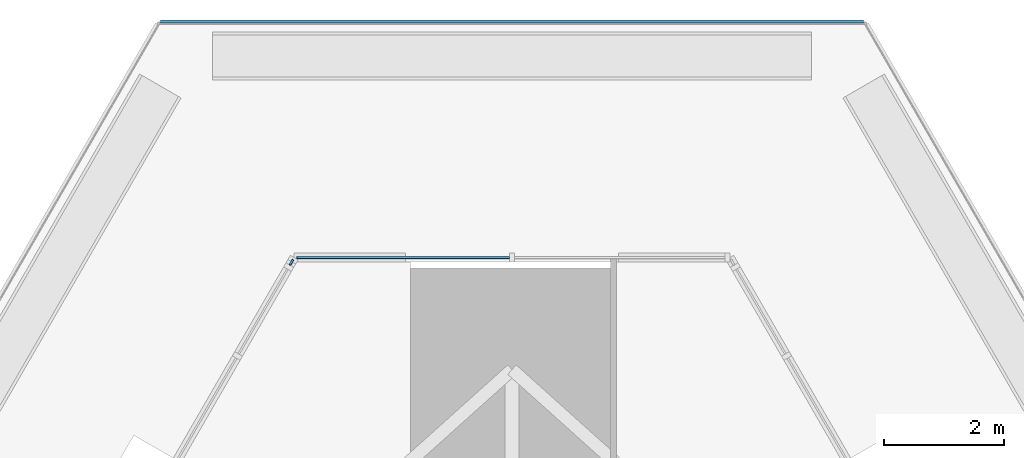
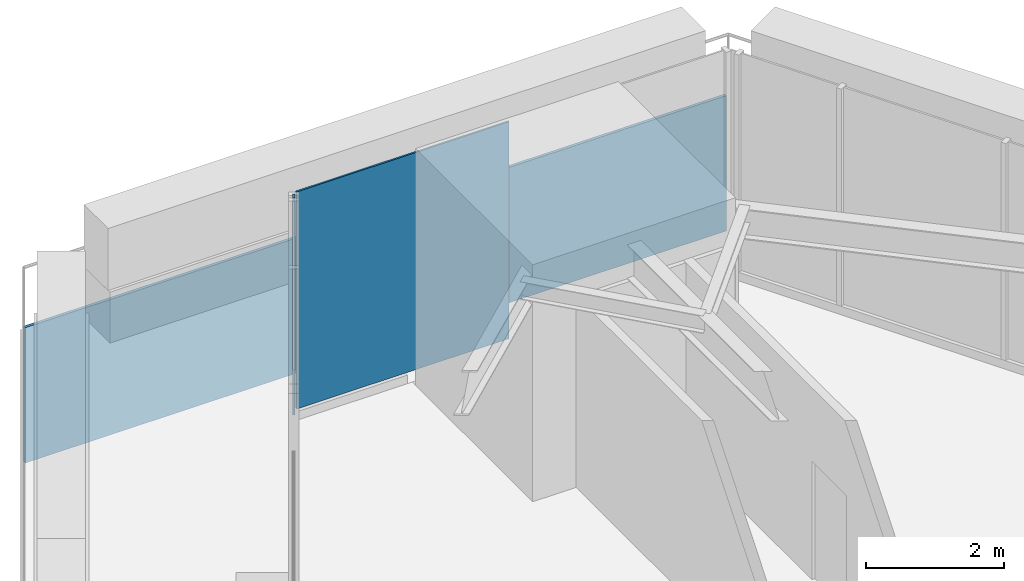
# One storey, part 15 of 26: 3 plates, 2 elements without a shape of their own.
"""IFC4 building model written with IfcOpenShell, lengths in metres."""

from ifc_helpers import new_model, si_unit, direction, frame, origin, place, context, subcontext, project, spatial, polyline, outline, extrude, material, layer, layer_set, type_object, element, aggregate, save


model = new_model("IFC4")

# Units and contexts
model_context = context("Model", 3, precision=1e-05, world=origin(), true_north=direction((0.0, 1.0)))
body_context = subcontext(model_context, "Body", "Model", "MODEL_VIEW")
ifc_project = project(units=[si_unit("LENGTHUNIT", "METRE"), si_unit("AREAUNIT", "SQUARE_METRE"), si_unit("VOLUMEUNIT", "CUBIC_METRE"), si_unit("PLANEANGLEUNIT", "RADIAN"), si_unit("MASSUNIT", "GRAM", prefix="KILO")], contexts=[model_context])

# Site, building, storey
site_placement = place(None, origin())
site = spatial("IfcSite", under=ifc_project, at=site_placement, CompositionType="ELEMENT")
building_placement = place(site_placement, origin())
building = spatial("IfcBuilding", under=site, at=building_placement, Name="Firuza Gate Tower and Library", CompositionType="ELEMENT")
storey_placement = place(building_placement, frame((0.0, 0.0, 115.60009765625)))
storey = spatial("IfcBuildingStorey", under=building, at=storey_placement, Name="L26", CompositionType="ELEMENT", Elevation=115.60009765625)

# Curtain wall, plate
ifc_material_1 = material(Name="Aluminium 6063-T6", Category="aluminium")
ifc_layer_1 = layer(ifc_material_1, 0.14990234375)
ifc_layer_set_1 = layer_set([ifc_layer_1], Name="Corner curtain wall, chamfers")
curtain_wall_type_1 = type_object("IfcCurtainWallType", Name="Corner curtain wall, chamfers", PredefinedType="NOTDEFINED", material=ifc_layer_set_1)
placement = place(storey_placement, origin())
curtain_wall_1 = element("IfcCurtainWall", 1, at=placement, inside=storey, type_object=curtain_wall_type_1, Name="CW4 L26 N corner", PredefinedType="NOTDEFINED")
ifc_material_2 = material(Name="Fritted glass", Category="glass")
ifc_layer_2 = layer(ifc_material_2, 0.030029296875)
ifc_layer_set_2 = layer_set([ifc_layer_2], Name="Fritted glass unit, corners")
plate_type_1 = type_object("IfcPlateType", Name="Fritted glass unit, corners", PredefinedType="CURTAIN_PANEL", material=ifc_layer_set_2)
plate_1_placement = place(storey_placement, frame((74.9599609375, 109.402099609375, 0.14990234375), z_axis=(0.0, 1.0, 0.0), x_axis=(-1.0, 0.0, 0.0)))
plate_1 = element("IfcPlate", 2, at=plate_1_placement, type_object=plate_type_1, Name="Glass unit", PredefinedType="CURTAIN_PANEL", context=body_context, shape_type="SweptSolid", body=[
    extrude(outline(polyline([(0.0, 0.0), (3.563232421875, 0.0), (3.563232421875, 3.85009765625), (0.0, 3.85009765625), (0.0, 0.0)])), origin(), (0.0, 0.0, -1.0), 0.030029296875),
])
aggregate(curtain_wall_1, [plate_1])

ifc_material_3 = material(Name="Aluminium 6063-T6", Category="aluminium")
ifc_layer_3 = layer(ifc_material_3, 0.14990234375)
ifc_layer_set_3 = layer_set([ifc_layer_3], Name="Unitised curtain wall, offices")
curtain_wall_type_2 = type_object("IfcCurtainWallType", Name="Unitised curtain wall, offices", PredefinedType="NOTDEFINED", material=ifc_layer_set_3)
curtain_wall_2 = element("IfcCurtainWall", 3, at=placement, inside=storey, type_object=curtain_wall_type_2, Name="CW1 L26 W face", PredefinedType="NOTDEFINED")
ifc_material_4 = material(Name="Glazed ceramic tile")
ifc_layer_4 = layer(ifc_material_4, 0.030029296875)
ifc_layer_set_4 = layer_set([ifc_layer_4], Name="Opaque ceramic panel, offices")
plate_type_2 = type_object("IfcPlateType", Name="Opaque ceramic panel, offices", PredefinedType="CURTAIN_PANEL", material=ifc_layer_set_4)
plate_2_placement = place(storey_placement, frame((71.32373046875, 109.35986328125, 0.14990234375), z_axis=(-0.865910493709, 0.500198977292, 0.0), x_axis=(-0.500198977292, -0.865910493709, 0.0)))
plate_2 = element("IfcPlate", 4, at=plate_2_placement, type_object=plate_type_2, Name="Opaque ceramic panel", PredefinedType="CURTAIN_PANEL", context=body_context, shape_type="SweptSolid", body=[
    extrude(outline(polyline([(0.0, 0.0), (0.10347444686944572, 0.0), (0.10347444686944572, 3.850097656250001), (0.0, 3.850097656250001), (0.0, 0.0)])), origin(), (0.0, 0.0, -1.0), 0.030029296875),
])
aggregate(curtain_wall_2, [plate_2])

# Plate
ifc_material_5 = material(Name="Aluminium 6063-T6", Category="aluminium")
ifc_layer_5 = layer(ifc_material_5, 0.050048828125)
ifc_layer_set_5 = layer_set([ifc_layer_5], Name="Tray fascia panel 50")
plate_type_3 = type_object("IfcPlateType", Name="Tray fascia panel 50", PredefinedType="SHEET", material=ifc_layer_set_5)
plate_3_placement = place(storey_placement, frame((80.87890625, 113.362060546875, -2.400146484375), z_axis=(0.0, 1.0, 0.0), x_axis=(-1.0, 0.0, 0.0)))
element("IfcPlate", 5, at=plate_3_placement, inside=storey, type_object=plate_type_3, Name="Tray fascia L26 2", PredefinedType="SHEET", context=body_context, shape_type="SweptSolid", body=[
    extrude(outline(polyline([(0.0, 0.0), (11.7578125, 0.0), (11.7578125, 2.400146484375), (0.0, 2.400146484375), (0.0, 0.0)])), origin(), (0.0, 0.0, -1.0), 0.050048828125),
])

save(model, "model.ifc")
